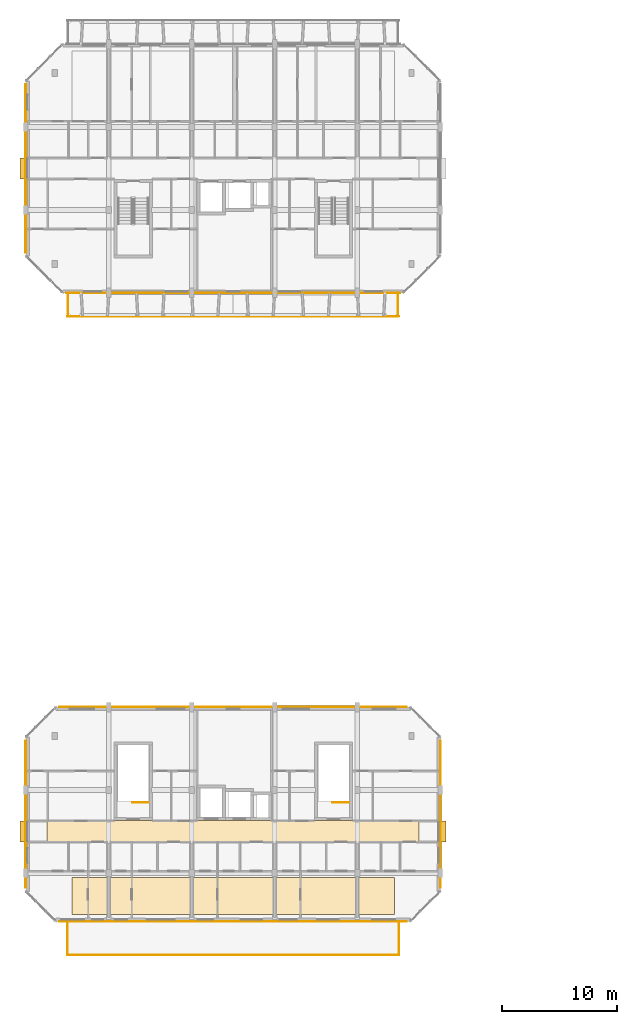
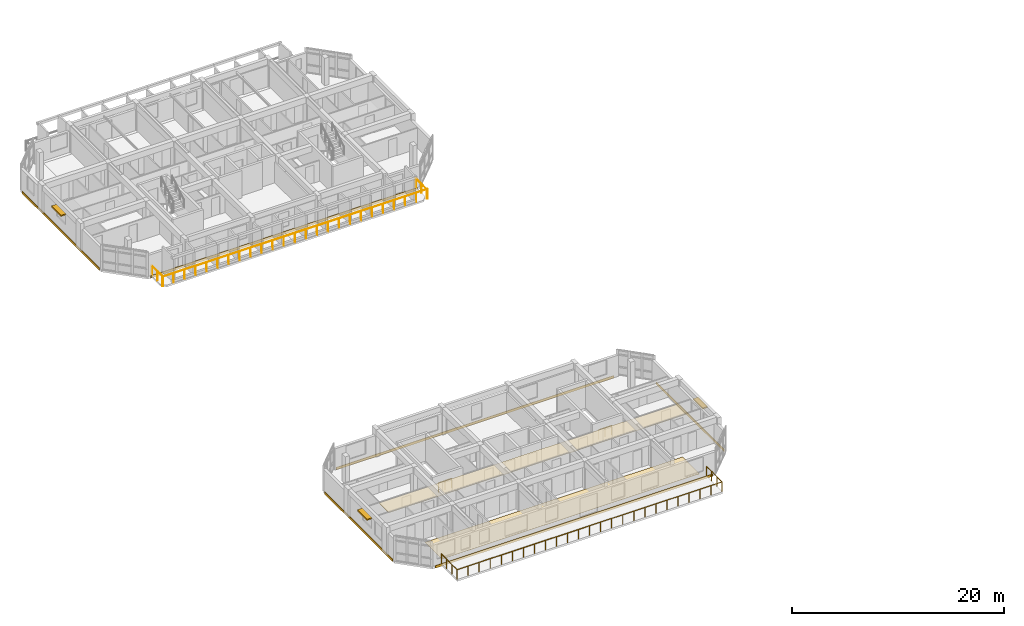
# One storey, part 33 of 40: 8 coverings, 6 railings, 3 shading devices.
"""IFC4 building model written with IfcOpenShell, lengths in metres."""

import ifcopenshell
import ifcopenshell.guid

model = None  # the IFC model being written
_history = None  # IfcOwnerHistory: only IFC2X3 demands one
_inside = {}  # id of a spatial element -> (the spatial element, [elements in it])
_under = {}  # id of a project, library or spatial element -> (it, [spatial elements below it])
_declared = {}  # id of a project -> (the project, [libraries it declares])
_typed = {}  # id of a type object -> (the type object, [elements of that type])
_made_of = {}  # id of a material, layer set ... -> (it, [elements and type objects made of it])


def new_model(schema):
    """Start an empty IFC model of exactly this schema.

    Asked for "IFC4X3", IfcOpenShell would pick the latest addendum, in which some entities
    have other attributes; the version numbers below select the first issue.
    IFC2X3 requires an IfcOwnerHistory on every rooted entity: one is made here for all.
    """
    global model, _history
    if schema == "IFC4X3":
        model = ifcopenshell.file(schema_version=(4, 3, 0, 0))
    else:
        model = ifcopenshell.file(schema=schema)
    _inside.clear()
    _under.clear()
    _declared.clear()
    _typed.clear()
    _made_of.clear()
    _history = None
    if model.schema == "IFC2X3":
        org = make("IfcOrganization", Name="unknown")
        user = make(
            "IfcPersonAndOrganization",
            ThePerson=make("IfcPerson", FamilyName="unknown"),
            TheOrganization=org,
        )
        app = make(
            "IfcApplication",
            ApplicationDeveloper=org,
            Version="unknown",
            ApplicationFullName="unknown",
            ApplicationIdentifier="unknown",
        )
        _history = make(
            "IfcOwnerHistory",
            OwningUser=user,
            OwningApplication=app,
            ChangeAction="ADDED",
            CreationDate=0,
        )
    return model


def make(cls, **values):
    """One entity of the class cls with the attributes given. An attribute that is None is left unset."""
    return model.create_entity(
        cls, **{name: value for name, value in values.items() if value is not None}
    )


def rooted(cls, **values):
    """An entity with a GlobalId (a new one), such as an element, a storey or a relation."""
    return make(cls, GlobalId=ifcopenshell.guid.new(), OwnerHistory=_history, **values)


def si_unit(unit_type, name, prefix=None):
    """IfcSIUnit, for example si_unit("LENGTHUNIT", "METRE", prefix="MILLI")."""
    return make("IfcSIUnit", UnitType=unit_type, Prefix=prefix, Name=name)


def assignment(units):
    """IfcUnitAssignment: the units of a project."""
    return None if units is None else make("IfcUnitAssignment", Units=units)


def point(xyz):
    """IfcCartesianPoint."""
    return None if xyz is None else make("IfcCartesianPoint", Coordinates=xyz)


def direction(xyz):
    """IfcDirection."""
    return None if xyz is None else make("IfcDirection", DirectionRatios=xyz)


def frame(location, z_axis=None, x_axis=None):
    """IfcAxis2Placement3D, a coordinate frame: its origin and axes. An axis left out is left unset."""
    return make(
        "IfcAxis2Placement3D",
        Location=point(location),
        Axis=direction(z_axis),
        RefDirection=direction(x_axis),
    )


def frame_2d(location, x_axis=None):
    """IfcAxis2Placement2D, a coordinate frame in the plane: its origin and x axis."""
    return make(
        "IfcAxis2Placement2D", Location=point(location), RefDirection=direction(x_axis)
    )


def origin():
    """The frame at (0, 0, 0) with its axes left unset."""
    return frame((0.0, 0.0, 0.0))


def origin_2d():
    """The frame at (0, 0) in the plane with its x axis left unset."""
    return frame_2d((0.0, 0.0))


def place(relative_to, where):
    """IfcLocalPlacement: puts the frame where relative to a parent placement (None: the world)."""
    return make(
        "IfcLocalPlacement", PlacementRelTo=relative_to, RelativePlacement=where
    )


def context(
    kind, dimensions, precision=None, world=None, true_north=None, identifier=None
):
    """IfcGeometricRepresentationContext, for example the 3D "Model" context."""
    return make(
        "IfcGeometricRepresentationContext",
        ContextIdentifier=identifier,
        ContextType=kind,
        CoordinateSpaceDimension=dimensions,
        Precision=precision,
        WorldCoordinateSystem=world,
        TrueNorth=true_north,
    )


def subcontext(parent, identifier, kind, view, scale=None):
    """IfcGeometricRepresentationSubContext, for example "Body" below "Model"."""
    return make(
        "IfcGeometricRepresentationSubContext",
        ContextIdentifier=identifier,
        ContextType=kind,
        ParentContext=parent,
        TargetScale=scale,
        TargetView=view,
    )


def project(units=None, contexts=None):
    """IfcProject with its units and contexts."""
    return rooted(
        "IfcProject",
        Name="project",
        RepresentationContexts=contexts,
        UnitsInContext=assignment(units),
    )


def spatial(cls, under=None, at=None, **own):
    """A site, building, storey or space (cls), placed at a placement, below another one or the project."""
    s = rooted(cls, ObjectPlacement=at, **own)
    if under is not None:
        _under.setdefault(under.id(), (under, []))[1].append(s)
    return s


def polyline(points):
    """IfcPolyline through the points."""
    return make("IfcPolyline", Points=[point(p) for p in points])


def profile(cls, at=None, kind="AREA", **sizes):
    """A parametric profile (cls). Its sizes go by their IFC names, for example OverallWidth=200.0."""
    return make(cls, ProfileType=kind, Position=at, **sizes)


def rectangle(**sizes):
    """IfcRectangleProfileDef."""
    return profile("IfcRectangleProfileDef", **sizes)


def circle(**sizes):
    """IfcCircleProfileDef."""
    return profile("IfcCircleProfileDef", **sizes)


def outline(outer, holes=None, kind="AREA"):
    """IfcArbitraryClosedProfileDef: a profile drawn as a closed curve; with holes, ...WithVoids."""
    if holes is None:
        return make("IfcArbitraryClosedProfileDef", ProfileType=kind, OuterCurve=outer)
    return make(
        "IfcArbitraryProfileDefWithVoids",
        ProfileType=kind,
        OuterCurve=outer,
        InnerCurves=holes,
    )


def extrude(swept, where, along, depth):
    """IfcExtrudedAreaSolid: the profile swept, set in the frame where, extruded along a direction by depth."""
    return make(
        "IfcExtrudedAreaSolid",
        SweptArea=swept,
        Position=where,
        ExtrudedDirection=direction(along),
        Depth=depth,
    )


def shape(context_of_items, identifier, shape_type, items):
    """IfcShapeRepresentation: the items that make up one representation, for example the "Body"."""
    return make(
        "IfcShapeRepresentation",
        ContextOfItems=context_of_items,
        RepresentationIdentifier=identifier,
        RepresentationType=shape_type,
        Items=items,
    )


def material(Name=None, Category=None):
    """IfcMaterial."""
    return make("IfcMaterial", Name=Name, Category=Category)


def layer(
    of_material, thickness, ventilated=None, Name=None, Category=None, Priority=None
):
    """IfcMaterialLayer: one layer of a wall or slab, of a material (None: an air gap)."""
    return make(
        "IfcMaterialLayer",
        Material=of_material,
        LayerThickness=thickness,
        IsVentilated=ventilated,
        Name=Name,
        Category=Category,
        Priority=Priority,
    )


def layer_set(layers, Name=None):
    """IfcMaterialLayerSet."""
    return make("IfcMaterialLayerSet", MaterialLayers=layers, LayerSetName=Name)


def made_of(thing, what):
    """Note that an element or type object is made of a material, layer set ...; save() writes the relation."""
    if what is not None:
        _made_of.setdefault(what.id(), (what, []))[1].append(thing)
    return thing


def type_object(cls, material=None, **own):
    """A type object (cls), such as IfcWallType, which elements share."""
    return made_of(rooted(cls, **own), material)


def element(
    cls,
    number,
    at=None,
    inside=None,
    cuts=None,
    type_object=None,
    material=None,
    context=None,
    identifier="Body",
    shape_type=None,
    held_by="IfcProductDefinitionShape",
    body=None,
    shapes=None,
    **own,
):
    """One element of the class cls, such as IfcWall. Its Tag is "e" and its number.

    at: its placement. inside: the storey or other place that contains it. cuts: it is an
    opening in that element (IfcRelVoidsElement). A single representation is given by context,
    identifier, shape_type and body (its items); several are given by shapes. held_by: the class
    of the entity that holds the representations. save() writes the other relations.
    """
    e = rooted(cls, Tag="e%d" % number, ObjectPlacement=at, **own)
    if body is not None:
        shapes = [shape(context, identifier, shape_type, body)]
    if shapes is not None:
        e.Representation = make(held_by, Representations=shapes)
    if inside is not None:
        _inside.setdefault(inside.id(), (inside, []))[1].append(e)
    if cuts is not None:
        rooted(
            "IfcRelVoidsElement", RelatingBuildingElement=cuts, RelatedOpeningElement=e
        )
    if type_object is not None:
        _typed.setdefault(type_object.id(), (type_object, []))[1].append(e)
    return made_of(e, material)


def aggregate(whole, parts):
    """IfcRelAggregates: a whole, such as a stair, and the parts it consists of."""
    return rooted("IfcRelAggregates", RelatingObject=whole, RelatedObjects=parts)


def save(model, path):
    """Write the relations noted so far, then the file.

    IfcRelAggregates (storeys below a building ...), IfcRelContainedInSpatialStructure (elements
    in a storey), IfcRelDefinesByType, IfcRelAssociatesMaterial and IfcRelDeclares: one each for
    every whole, place, type object, material and project.
    """
    for whole, parts in _under.values():
        aggregate(whole, parts)
    for where, things in _inside.values():
        rooted(
            "IfcRelContainedInSpatialStructure",
            RelatedElements=things,
            RelatingStructure=where,
        )
    for kind, things in _typed.values():
        rooted("IfcRelDefinesByType", RelatedObjects=things, RelatingType=kind)
    for what, things in _made_of.values():
        rooted("IfcRelAssociatesMaterial", RelatedObjects=things, RelatingMaterial=what)
    for by, libraries in _declared.values():
        rooted("IfcRelDeclares", RelatingContext=by, RelatedDefinitions=libraries)
    model.write(path)


model = new_model("IFC4")

# Units and contexts
model_context = context("Model", 3, precision=1e-05, world=origin(), true_north=direction((0.0, 1.0)))
body_context = subcontext(model_context, "Body", "Model", "MODEL_VIEW")
ifc_project = project(units=[si_unit("LENGTHUNIT", "METRE"), si_unit("AREAUNIT", "SQUARE_METRE"), si_unit("VOLUMEUNIT", "CUBIC_METRE"), si_unit("PLANEANGLEUNIT", "RADIAN"), si_unit("MASSUNIT", "GRAM", prefix="KILO")], contexts=[model_context])

# Site, building, storey
site_placement = place(None, origin())
site = spatial("IfcSite", under=ifc_project, at=site_placement, CompositionType="ELEMENT")
building_placement = place(site_placement, origin())
building = spatial("IfcBuilding", under=site, at=building_placement, Name="Ochrevale Crest", CompositionType="ELEMENT")
storey_placement = place(building_placement, frame((0.0, 0.0, 27.60009765625)))
storey = spatial("IfcBuildingStorey", under=building, at=storey_placement, Name="L08", CompositionType="ELEMENT", Elevation=27.60009765625)

# Coverings
ifc_material_1 = material(Name="Gypsum plasterboard", Category="gypsum")
ifc_layer_1 = layer(ifc_material_1, 0.02490234375)
ifc_layer_set_1 = layer_set([ifc_layer_1], Name="Gypsum plasterboard")
covering_type_1 = type_object("IfcCoveringType", Name="COV-CEIL-GYP", PredefinedType="CEILING", material=ifc_layer_set_1)
covering_1_placement = place(storey_placement, frame((0.0, 0.0, 2.27978515625)))
element("IfcCovering", 1, at=covering_1_placement, inside=storey, type_object=covering_type_1, Name="Block A L08 acoustic corridor ceiling", PredefinedType="CEILING", context=body_context, shape_type="SweptSolid", body=[
    extrude(outline(polyline([(1.85009765625, 24.260009765625), (34.14990234375, 24.260009765625), (34.14990234375, 26.139892578125), (1.85009765625, 26.139892578125), (1.85009765625, 24.260009765625)])), origin(), (0.0, 0.0, 1.0), 0.025146484375),
])
ifc_material_2 = material(Name="Glazed terracotta rainscreen tile", Category="masonry")
ifc_layer_2 = layer(ifc_material_2, 0.048095703125)
ifc_layer_set_2 = layer_set([ifc_layer_2], Name="Glazed terracotta rainscreen tile")
covering_type_2 = type_object("IfcCoveringType", Name="COV-CLAD-TER", PredefinedType="CLADDING", material=ifc_layer_set_2)
covering_2_placement = place(storey_placement, frame((18.0, 17.385498046875, -0.26025390625), z_axis=(0.0, 0.0, 1.0), x_axis=(1.0, 0.0, 0.0)))
element("IfcCovering", 2, at=covering_2_placement, inside=storey, type_object=covering_type_2, Name="Block A L08 terracotta slab-edge spandrel cladding", PredefinedType="CLADDING", context=body_context, shape_type="SweptSolid", body=[
    extrude(rectangle(XDim=30.199951171875, YDim=0.06005859375, at=origin_2d()), origin(), (0.0, 0.0, 1.0), 0.280029296875),
])
covering_3_placement = place(storey_placement, frame((36.014404296875, 26.699951171875, -0.26025390625), z_axis=(0.0, 0.0, 1.0), x_axis=(0.0, 1.0, 0.0)))
element("IfcCovering", 3, at=covering_3_placement, inside=storey, type_object=covering_type_2, Name="Block A L08 terracotta slab-edge spandrel cladding", PredefinedType="CLADDING", context=body_context, shape_type="SweptSolid", body=[
    extrude(rectangle(XDim=12.800048828125, YDim=0.06005859375, at=origin_2d()), origin(), (0.0, 0.0, 1.0), 0.280029296875),
])
covering_4_placement = place(storey_placement, frame((18.0, 36.014404296875, -0.26025390625), z_axis=(0.0, 0.0, 1.0), x_axis=(-1.0, 0.0, 0.0)))
element("IfcCovering", 4, at=covering_4_placement, inside=storey, type_object=covering_type_2, Name="Block A L08 terracotta slab-edge spandrel cladding", PredefinedType="CLADDING", context=body_context, shape_type="SweptSolid", body=[
    extrude(rectangle(XDim=30.199951171875, YDim=0.06005859375, at=origin_2d()), origin(), (0.0, 0.0, 1.0), 0.280029296875),
])
covering_5_placement = place(storey_placement, frame((-0.014404296875, 26.699951171875, -0.26025390625), z_axis=(0.0, 0.0, 1.0), x_axis=(0.0, -1.0, 0.0)))
element("IfcCovering", 5, at=covering_5_placement, inside=storey, type_object=covering_type_2, Name="Block A L08 terracotta slab-edge spandrel cladding", PredefinedType="CLADDING", context=body_context, shape_type="SweptSolid", body=[
    extrude(rectangle(XDim=12.800048828125, YDim=0.06005859375, at=origin_2d()), origin(), (0.0, 0.0, 1.0), 0.280029296875),
])
covering_6_placement = place(storey_placement, frame((18.0, 71.987548828125, -0.26025390625), z_axis=(0.0, 0.0, 1.0), x_axis=(1.0, 0.0, 0.0)))
element("IfcCovering", 6, at=covering_6_placement, inside=storey, type_object=covering_type_2, Name="Block B L08 terracotta slab-edge spandrel cladding", PredefinedType="CLADDING", context=body_context, shape_type="SweptSolid", body=[
    extrude(rectangle(XDim=29.0, YDim=0.06005859375, at=origin_2d()), origin(), (0.0, 0.0, 1.0), 0.280029296875),
])
covering_7_placement = place(storey_placement, frame((-0.014404296875, 82.800048828125, -0.26025390625), z_axis=(0.0, 0.0, 1.0), x_axis=(0.0, -1.0, 0.0)))
element("IfcCovering", 7, at=covering_7_placement, inside=storey, type_object=covering_type_2, Name="Block B L08 terracotta slab-edge spandrel cladding", PredefinedType="CLADDING", context=body_context, shape_type="SweptSolid", body=[
    extrude(rectangle(XDim=14.60009765625, YDim=0.06005859375, at=origin_2d()), origin(), (0.0, 0.0, 1.0), 0.280029296875),
])
ifc_material_3 = material(Name="Engineered spotted-gum hardwood flooring", Category="wood")
ifc_layer_3 = layer(ifc_material_3, 0.02001953125)
ifc_layer_set_3 = layer_set([ifc_layer_3], Name="Engineered spotted-gum hardwood flooring")
covering_type_3 = type_object("IfcCoveringType", Name="COV-FLR-TIM", PredefinedType="FLOORING", material=ifc_layer_set_3)
covering_8_placement = place(storey_placement, origin())
element("IfcCovering", 8, at=covering_8_placement, inside=storey, type_object=covering_type_3, Name="Block A L08 spotted-gum apartment flooring", PredefinedType="FLOORING", context=body_context, shape_type="SweptSolid", body=[
    extrude(outline(polyline([(4.0, 18.0), (32.0, 18.0), (32.0, 21.199951171875), (4.0, 21.199951171875), (4.0, 18.0)])), origin(), (0.0, 0.0, 1.0), 0.02001953125),
])

# Railings
ifc_material_4 = material(Name="Galvanised steel", Category="steel")
railing_type_1 = type_object("IfcRailingType", Name="RL-BAL-1100", PredefinedType="BALUSTRADE", material=ifc_material_4)
railing_1_placement = place(storey_placement, frame((3.60009765625, 69.9599609375, 0.0)))
element("IfcRailing", 9, at=railing_1_placement, inside=storey, type_object=railing_type_1, Name="Block B L08 S balcony front balustrade", PredefinedType="BALUSTRADE", context=body_context, shape_type="SweptSolid", body=[
    extrude(circle(Radius=0.02392578125, at=origin_2d()), frame((0.0, 0.0, 1.0859375), z_axis=(1.0, 0.0, 0.0), x_axis=(0.0, 1.0, 0.0)), (0.0, 0.0, 1.0), 28.7998046875),
    extrude(circle(Radius=0.02099609375, at=origin_2d()), origin(), (0.0, 0.0, 1.0), 1.06201171875),
    extrude(circle(Radius=0.02099609375, at=origin_2d()), frame((1.199951171875, 0.0, 0.0)), (0.0, 0.0, 1.0), 1.06201171875),
    extrude(circle(Radius=0.02099609375, at=origin_2d()), frame((2.39990234375, 0.0, 0.0)), (0.0, 0.0, 1.0), 1.06201171875),
    extrude(circle(Radius=0.02099609375, at=origin_2d()), frame((3.60009765625, 0.0, 0.0)), (0.0, 0.0, 1.0), 1.06201171875),
    extrude(circle(Radius=0.02099609375, at=origin_2d()), frame((4.800048828125, 0.0, 0.0)), (0.0, 0.0, 1.0), 1.06201171875),
    extrude(circle(Radius=0.02099609375, at=origin_2d()), frame((6.0, 0.0, 0.0)), (0.0, 0.0, 1.0), 1.06201171875),
    extrude(circle(Radius=0.02099609375, at=origin_2d()), frame((7.199951171875, 0.0, 0.0)), (0.0, 0.0, 1.0), 1.06201171875),
    extrude(circle(Radius=0.02099609375, at=origin_2d()), frame((8.39990234375, 0.0, 0.0)), (0.0, 0.0, 1.0), 1.06201171875),
    extrude(circle(Radius=0.02099609375, at=origin_2d()), frame((9.599853515625, 0.0, 0.0)), (0.0, 0.0, 1.0), 1.06201171875),
    extrude(circle(Radius=0.02099609375, at=origin_2d()), frame((10.7998046875, 0.0, 0.0)), (0.0, 0.0, 1.0), 1.06201171875),
    extrude(circle(Radius=0.02099609375, at=origin_2d()), frame((12.0, 0.0, 0.0)), (0.0, 0.0, 1.0), 1.06201171875),
    extrude(circle(Radius=0.02099609375, at=origin_2d()), frame((13.199951171875, 0.0, 0.0)), (0.0, 0.0, 1.0), 1.06201171875),
    extrude(circle(Radius=0.02099609375, at=origin_2d()), frame((14.39990234375, 0.0, 0.0)), (0.0, 0.0, 1.0), 1.06201171875),
    extrude(circle(Radius=0.02099609375, at=origin_2d()), frame((15.599853515625, 0.0, 0.0)), (0.0, 0.0, 1.0), 1.06201171875),
    extrude(circle(Radius=0.02099609375, at=origin_2d()), frame((16.7998046875, 0.0, 0.0)), (0.0, 0.0, 1.0), 1.06201171875),
    extrude(circle(Radius=0.02099609375, at=origin_2d()), frame((18.0, 0.0, 0.0)), (0.0, 0.0, 1.0), 1.06201171875),
    extrude(circle(Radius=0.02099609375, at=origin_2d()), frame((19.199951171875, 0.0, 0.0)), (0.0, 0.0, 1.0), 1.06201171875),
    extrude(circle(Radius=0.02099609375, at=origin_2d()), frame((20.39990234375, 0.0, 0.0)), (0.0, 0.0, 1.0), 1.06201171875),
    extrude(circle(Radius=0.02099609375, at=origin_2d()), frame((21.599853515625, 0.0, 0.0)), (0.0, 0.0, 1.0), 1.06201171875),
    extrude(circle(Radius=0.02099609375, at=origin_2d()), frame((22.7998046875, 0.0, 0.0)), (0.0, 0.0, 1.0), 1.06201171875),
    extrude(circle(Radius=0.02099609375, at=origin_2d()), frame((23.999755859375, 0.0, 0.0)), (0.0, 0.0, 1.0), 1.06201171875),
    extrude(circle(Radius=0.02099609375, at=origin_2d()), frame((25.19970703125, 0.0, 0.0)), (0.0, 0.0, 1.0), 1.06201171875),
    extrude(circle(Radius=0.02099609375, at=origin_2d()), frame((26.39990234375, 0.0, 0.0)), (0.0, 0.0, 1.0), 1.06201171875),
    extrude(circle(Radius=0.02099609375, at=origin_2d()), frame((27.599853515625, 0.0, 0.0)), (0.0, 0.0, 1.0), 1.06201171875),
    extrude(circle(Radius=0.02099609375, at=origin_2d()), frame((28.7998046875, 0.0, 0.0)), (0.0, 0.0, 1.0), 1.06201171875),
])
for number, where, name in (
    (10, (3.659912109375, 72.0, 0.0), "Block B L08 S-W balcony side guard"),
    (11, (32.340087890625, 72.0, 0.0), "Block B L08 S-E balcony side guard"),
):
    element("IfcRailing", number, at=place(storey_placement, frame(where)), inside=storey, type_object=railing_type_1, Name=name, PredefinedType="BALUSTRADE", context=body_context, shape_type="SweptSolid", body=[
        extrude(circle(Radius=0.02392578125, at=origin_2d()), frame((0.0, 0.0, 1.0859375), z_axis=(0.0, -1.0, 0.0), x_axis=(1.0, 0.0, 0.0)), (0.0, 0.0, 1.0), 2.0400390625),
        extrude(circle(Radius=0.02099609375, at=origin_2d()), origin(), (0.0, 0.0, 1.0), 1.06201171875),
        extrude(circle(Radius=0.02099609375, at=origin_2d()), frame((0.0, -1.02001953125, 0.0)), (0.0, 0.0, 1.0), 1.06201171875),
        extrude(circle(Radius=0.02099609375, at=origin_2d()), frame((0.0, -2.0400390625, 0.0)), (0.0, 0.0, 1.0), 1.06201171875),
    ])
railing_type_2 = type_object("IfcRailingType", Name="RL-ST-GUARD", PredefinedType="BALUSTRADE", material=ifc_material_4)
railing_2_placement = place(storey_placement, frame((10.64990234375, 27.72509765625, 0.0)))
element("IfcRailing", 12, at=railing_2_placement, inside=storey, type_object=railing_type_2, Name="L08 ST-A1 top well guard 1", PredefinedType="BALUSTRADE", context=body_context, shape_type="SweptSolid", body=[
    extrude(circle(Radius=0.02392578125, at=origin_2d()), frame((0.0, 0.0, 1.076171875), z_axis=(-1.0, 0.0, 0.0), x_axis=(0.0, -1.0, 0.0)), (0.0, 0.0, 1.0), 1.39990234375),
    extrude(circle(Radius=0.02099609375, at=origin_2d()), origin(), (0.0, 0.0, 1.0), 1.052001953125),
    extrude(circle(Radius=0.02099609375, at=origin_2d()), frame((-0.699951171875, 0.0, 0.0)), (0.0, 0.0, 1.0), 1.052001953125),
    extrude(circle(Radius=0.02099609375, at=origin_2d()), frame((-1.39990234375, 0.0, 0.0)), (0.0, 0.0, 1.0), 1.052001953125),
])
railing_3_placement = place(storey_placement, frame((28.050048828125, 27.72509765625, 0.0)))
element("IfcRailing", 13, at=railing_3_placement, inside=storey, type_object=railing_type_2, Name="L08 ST-A2 top well guard 1", PredefinedType="BALUSTRADE", context=body_context, shape_type="SweptSolid", body=[
    extrude(circle(Radius=0.02392578125, at=origin_2d()), frame((0.0, 0.0, 1.076171875), z_axis=(-1.0, 0.0, 0.0), x_axis=(0.0, -1.0, 0.0)), (0.0, 0.0, 1.0), 1.400146484375),
    extrude(circle(Radius=0.02099609375, at=origin_2d()), origin(), (0.0, 0.0, 1.0), 1.052001953125),
    extrude(circle(Radius=0.02099609375, at=origin_2d()), frame((-0.7001953125, 0.0, 0.0)), (0.0, 0.0, 1.0), 1.052001953125),
    extrude(circle(Radius=0.02099609375, at=origin_2d()), frame((-1.400146484375, 0.0, 0.0)), (0.0, 0.0, 1.0), 1.052001953125),
])
railing_type_3 = type_object("IfcRailingType", Name="RL-TER-1120", PredefinedType="BALUSTRADE", material=ifc_material_4)
railing_4_placement = place(storey_placement, frame((3.60009765625, 17.39990234375, 0.0)))
element("IfcRailing", 14, at=railing_4_placement, inside=storey, type_object=railing_type_3, Name="Block A L08 stepped roof-terrace perimeter balustrade", PredefinedType="BALUSTRADE", context=body_context, shape_type="SweptSolid", body=[
    extrude(circle(Radius=0.02392578125, at=origin_2d()), frame((0.0, 0.0, 1.09619140625), z_axis=(0.0, -1.0, 0.0), x_axis=(1.0, 0.0, 0.0)), (0.0, 0.0, 1.0), 2.93994140625),
    extrude(circle(Radius=0.02392578125, at=origin_2d()), frame((0.0, -2.93994140625, 1.09619140625), z_axis=(1.0, 0.0, 0.0), x_axis=(0.0, 1.0, 0.0)), (0.0, 0.0, 1.0), 28.7998046875),
    extrude(circle(Radius=0.02392578125, at=origin_2d()), frame((28.7998046875, -2.93994140625, 1.09619140625), z_axis=(0.0, 1.0, 0.0), x_axis=(-1.0, 0.0, 0.0)), (0.0, 0.0, 1.0), 2.93994140625),
    extrude(circle(Radius=0.02099609375, at=origin_2d()), origin(), (0.0, 0.0, 1.0), 1.072021484375),
    extrude(circle(Radius=0.02099609375, at=origin_2d()), frame((0.0, -0.97998046875, 0.0)), (0.0, 0.0, 1.0), 1.072021484375),
    extrude(circle(Radius=0.02099609375, at=origin_2d()), frame((0.0, -1.9599609375, 0.0)), (0.0, 0.0, 1.0), 1.072021484375),
    extrude(circle(Radius=0.02099609375, at=origin_2d()), frame((0.0, -2.93994140625, 0.0)), (0.0, 0.0, 1.0), 1.072021484375),
    extrude(circle(Radius=0.02099609375, at=origin_2d()), frame((1.199951171875, -2.93994140625, 0.0)), (0.0, 0.0, 1.0), 1.072021484375),
    extrude(circle(Radius=0.02099609375, at=origin_2d()), frame((2.39990234375, -2.93994140625, 0.0)), (0.0, 0.0, 1.0), 1.072021484375),
    extrude(circle(Radius=0.02099609375, at=origin_2d()), frame((3.60009765625, -2.93994140625, 0.0)), (0.0, 0.0, 1.0), 1.072021484375),
    extrude(circle(Radius=0.02099609375, at=origin_2d()), frame((4.800048828125, -2.93994140625, 0.0)), (0.0, 0.0, 1.0), 1.072021484375),
    extrude(circle(Radius=0.02099609375, at=origin_2d()), frame((6.0, -2.93994140625, 0.0)), (0.0, 0.0, 1.0), 1.072021484375),
    extrude(circle(Radius=0.02099609375, at=origin_2d()), frame((7.199951171875, -2.93994140625, 0.0)), (0.0, 0.0, 1.0), 1.072021484375),
    extrude(circle(Radius=0.02099609375, at=origin_2d()), frame((8.39990234375, -2.93994140625, 0.0)), (0.0, 0.0, 1.0), 1.072021484375),
    extrude(circle(Radius=0.02099609375, at=origin_2d()), frame((9.599853515625, -2.93994140625, 0.0)), (0.0, 0.0, 1.0), 1.072021484375),
    extrude(circle(Radius=0.02099609375, at=origin_2d()), frame((10.7998046875, -2.93994140625, 0.0)), (0.0, 0.0, 1.0), 1.072021484375),
    extrude(circle(Radius=0.02099609375, at=origin_2d()), frame((12.0, -2.93994140625, 0.0)), (0.0, 0.0, 1.0), 1.072021484375),
    extrude(circle(Radius=0.02099609375, at=origin_2d()), frame((13.199951171875, -2.93994140625, 0.0)), (0.0, 0.0, 1.0), 1.072021484375),
    extrude(circle(Radius=0.02099609375, at=origin_2d()), frame((14.39990234375, -2.93994140625, 0.0)), (0.0, 0.0, 1.0), 1.072021484375),
    extrude(circle(Radius=0.02099609375, at=origin_2d()), frame((15.599853515625, -2.93994140625, 0.0)), (0.0, 0.0, 1.0), 1.072021484375),
    extrude(circle(Radius=0.02099609375, at=origin_2d()), frame((16.7998046875, -2.93994140625, 0.0)), (0.0, 0.0, 1.0), 1.072021484375),
    extrude(circle(Radius=0.02099609375, at=origin_2d()), frame((18.0, -2.93994140625, 0.0)), (0.0, 0.0, 1.0), 1.072021484375),
    extrude(circle(Radius=0.02099609375, at=origin_2d()), frame((19.199951171875, -2.93994140625, 0.0)), (0.0, 0.0, 1.0), 1.072021484375),
    extrude(circle(Radius=0.02099609375, at=origin_2d()), frame((20.39990234375, -2.93994140625, 0.0)), (0.0, 0.0, 1.0), 1.072021484375),
    extrude(circle(Radius=0.02099609375, at=origin_2d()), frame((21.599853515625, -2.93994140625, 0.0)), (0.0, 0.0, 1.0), 1.072021484375),
    extrude(circle(Radius=0.02099609375, at=origin_2d()), frame((22.7998046875, -2.93994140625, 0.0)), (0.0, 0.0, 1.0), 1.072021484375),
    extrude(circle(Radius=0.02099609375, at=origin_2d()), frame((23.999755859375, -2.93994140625, 0.0)), (0.0, 0.0, 1.0), 1.072021484375),
    extrude(circle(Radius=0.02099609375, at=origin_2d()), frame((25.19970703125, -2.93994140625, 0.0)), (0.0, 0.0, 1.0), 1.072021484375),
    extrude(circle(Radius=0.02099609375, at=origin_2d()), frame((26.39990234375, -2.93994140625, 0.0)), (0.0, 0.0, 1.0), 1.072021484375),
    extrude(circle(Radius=0.02099609375, at=origin_2d()), frame((27.599853515625, -2.93994140625, 0.0)), (0.0, 0.0, 1.0), 1.072021484375),
    extrude(circle(Radius=0.02099609375, at=origin_2d()), frame((28.7998046875, -2.93994140625, 0.0)), (0.0, 0.0, 1.0), 1.072021484375),
    extrude(circle(Radius=0.02099609375, at=origin_2d()), frame((28.7998046875, -1.9599609375, 0.0)), (0.0, 0.0, 1.0), 1.072021484375),
    extrude(circle(Radius=0.02099609375, at=origin_2d()), frame((28.7998046875, -0.97998046875, 0.0)), (0.0, 0.0, 1.0), 1.072021484375),
    extrude(circle(Radius=0.02099609375, at=origin_2d()), frame((28.7998046875, 0.0, 0.0)), (0.0, 0.0, 1.0), 1.072021484375),
])

# Shading devices
ifc_material_5 = material(Name="Anodised aluminium 6063-T5", Category="aluminium")
shading_device_type = type_object("IfcShadingDeviceType", Name="SHD-SUNSHADE-OC", PredefinedType="USERDEFINED", material=ifc_material_5)
for number, where, z_axis, x_axis, name in (
    (15, (-0.239990234375, 25.199951171875, 2.2099609375), (0.0, 0.0, 1.0), (1.0, 0.0, 0.0), "Block A L08 gable window sunshade W"),
    (16, (36.239990234375, 25.199951171875, 2.2099609375), (0.0, 0.0, 1.0), (1.0, 0.0, 0.0), "Block A L08 gable window sunshade E"),
    (17, (-0.239990234375, 82.800048828125, 2.2099609375), (0.0, 0.0, 1.0), (1.0, 0.0, 0.0), "Block B L08 gable window sunshade W"),
):
    element("IfcShadingDevice", number, at=place(storey_placement, frame(where, z_axis=z_axis, x_axis=x_axis)), inside=storey, type_object=shading_device_type, Name=name, ObjectType="HORIZONTAL SUNSHADE", PredefinedType="USERDEFINED", context=body_context, shape_type="SweptSolid", body=[
        extrude(rectangle(XDim=0.550048828125, YDim=1.800048828125, at=origin_2d()), origin(), (0.0, 0.0, 1.0), 0.139892578125),
    ])

save(model, "model.ifc")
